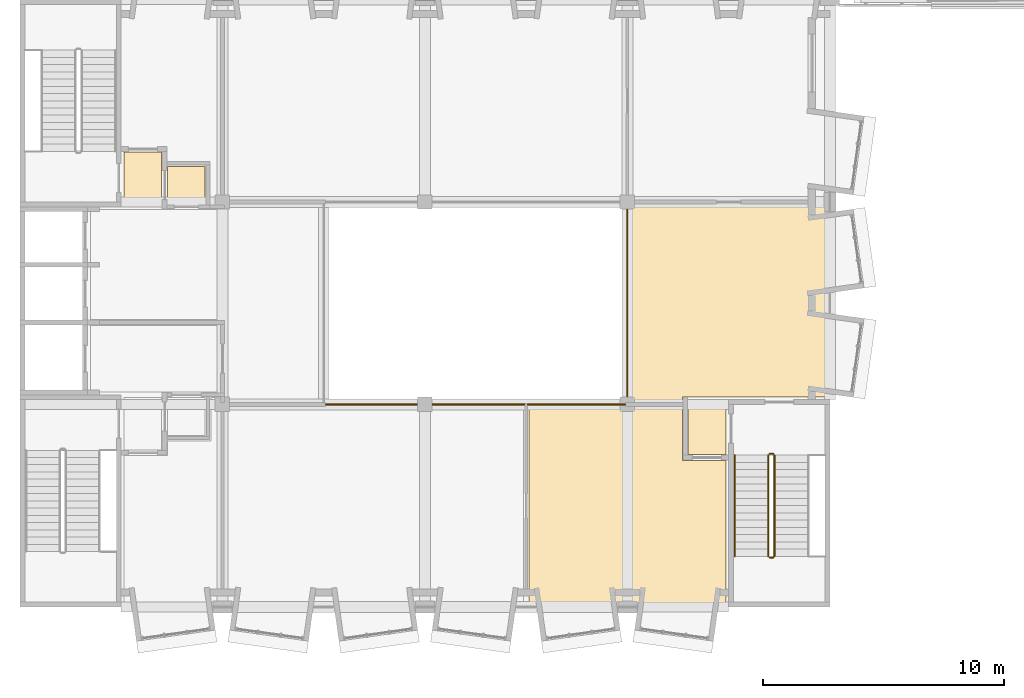
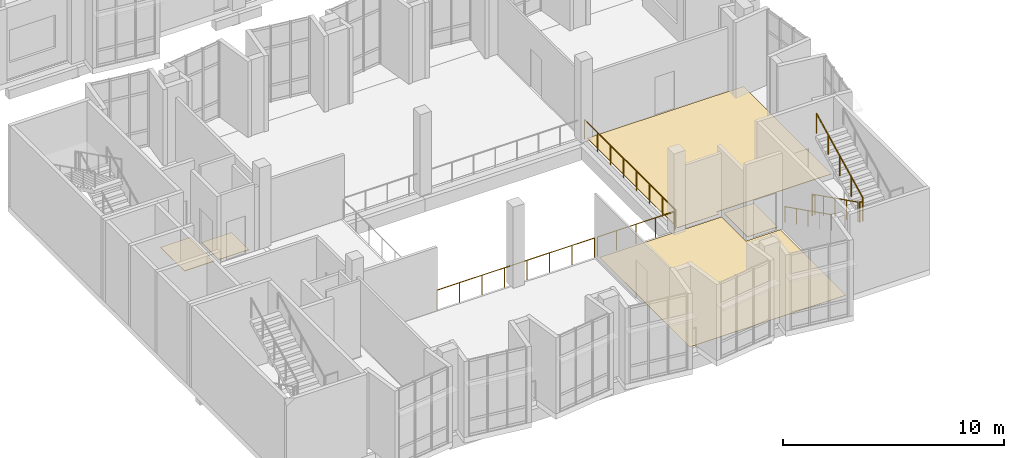
# One storey, part 91 of 95: 8 railings, 5 coverings.
"""IFC4 building model written with IfcOpenShell, lengths in metres."""

from ifc_helpers import new_model, si_unit, direction, frame, origin, origin_2d, place, context, subcontext, project, spatial, polyline, circle, outline, extrude, material, layer, layer_set, type_object, element, save


model = new_model("IFC4")

# Units and contexts
model_context = context("Model", 3, precision=1e-05, world=origin(), true_north=direction((0.0, 1.0)))
body_context = subcontext(model_context, "Body", "Model", "MODEL_VIEW")
ifc_project = project(units=[si_unit("LENGTHUNIT", "METRE"), si_unit("AREAUNIT", "SQUARE_METRE"), si_unit("VOLUMEUNIT", "CUBIC_METRE"), si_unit("PLANEANGLEUNIT", "RADIAN"), si_unit("MASSUNIT", "GRAM", prefix="KILO")], contexts=[model_context])

# Site, building, storey
site_placement = place(None, origin())
site = spatial("IfcSite", under=ifc_project, at=site_placement, CompositionType="ELEMENT")
building_placement = place(site_placement, origin())
building = spatial("IfcBuilding", under=site, at=building_placement, Name="Kiln Court Media Centre", CompositionType="ELEMENT")
storey_placement = place(building_placement, frame((0.0, 0.0, 24.60009765625)))
storey = spatial("IfcBuildingStorey", under=building, at=storey_placement, Name="L05", CompositionType="ELEMENT", Elevation=24.60009765625)

# Coverings
ifc_material_1 = material(Name="Carpet tile")
ifc_layer_1 = layer(ifc_material_1, 0.014892578125)
ifc_layer_set_1 = layer_set([ifc_layer_1], Name="Carpet tile floor finish 15")
covering_type_1 = type_object("IfcCoveringType", Name="Carpet tile floor finish 15", PredefinedType="FLOORING", material=ifc_layer_set_1)
covering_1_placement = place(storey_placement, origin())
element("IfcCovering", 1, at=covering_1_placement, inside=storey, type_object=covering_type_1, Name="Sound Post Suites floor finish", PredefinedType="FLOORING", context=body_context, shape_type="SweptSolid", body=[
    extrude(outline(polyline([(29.280029296875, 0.1201171875), (29.280029296875, 6.080078125), (27.47998046875, 6.080078125), (27.47998046875, 8.280029296875), (21.1201171875, 8.280029296875), (21.1201171875, 0.1201171875), (29.280029296875, 0.1201171875)])), origin(), (0.0, 0.0, 1.0), 0.014892578125),
])
ifc_material_2 = material(Name="Terrazzo")
ifc_layer_2 = layer(ifc_material_2, 0.02490234375)
ifc_layer_set_2 = layer_set([ifc_layer_2], Name="Polished terrazzo floor finish 25")
covering_type_2 = type_object("IfcCoveringType", Name="Polished terrazzo floor finish 25", PredefinedType="FLOORING", material=ifc_layer_set_2)
covering_2_placement = place(storey_placement, origin())
element("IfcCovering", 2, at=covering_2_placement, inside=storey, type_object=covering_type_2, Name="Stair 3 Vestibule floor finish", PredefinedType="FLOORING", context=body_context, shape_type="SweptSolid", body=[
    extrude(outline(polyline([(27.719970703125, 6.320068359375), (29.280029296875, 6.320068359375), (29.280029296875, 8.47998046875), (27.719970703125, 8.47998046875), (27.719970703125, 6.320068359375)])), origin(), (0.0, 0.0, 1.0), 0.02490234375),
])
covering_3_placement = place(storey_placement, origin())
element("IfcCovering", 3, at=covering_3_placement, inside=storey, type_object=covering_type_2, Name="East Lobby floor finish", PredefinedType="FLOORING", context=body_context, shape_type="SweptSolid", body=[
    extrude(outline(polyline([(25.320068359375, 8.52001953125), (27.47998046875, 8.52001953125), (27.47998046875, 8.719970703125), (33.47998046875, 8.719970703125), (33.47998046875, 16.679931640625), (25.320068359375, 16.679931640625), (25.320068359375, 8.52001953125)])), origin(), (0.0, 0.0, 1.0), 0.02490234375),
])
covering_4_placement = place(storey_placement, origin())
element("IfcCovering", 4, at=covering_4_placement, inside=storey, type_object=covering_type_2, Name="Stair 2 Vestibule floor finish", PredefinedType="FLOORING", context=body_context, shape_type="SweptSolid", body=[
    extrude(outline(polyline([(4.320068359375, 16.719970703125), (5.8798828125, 16.719970703125), (5.8798828125, 18.8798828125), (4.320068359375, 18.8798828125), (4.320068359375, 16.719970703125)])), origin(), (0.0, 0.0, 1.0), 0.02490234375),
])
covering_5_placement = place(storey_placement, origin())
element("IfcCovering", 5, at=covering_5_placement, inside=storey, type_object=covering_type_2, Name="Wheelchair Refuge floor finish", PredefinedType="FLOORING", context=body_context, shape_type="SweptSolid", body=[
    extrude(outline(polyline([(6.1201171875, 16.719970703125), (7.679931640625, 16.719970703125), (7.679931640625, 18.280029296875), (6.1201171875, 18.280029296875), (6.1201171875, 16.719970703125)])), origin(), (0.0, 0.0, 1.0), 0.02490234375),
])

# Railings
ifc_material_3 = material(Name="Steel S275", Category="steel")
railing_type_1 = type_object("IfcRailingType", Name="Steel S275 balustrade guard 1100", PredefinedType="GUARDRAIL", material=ifc_material_3)
railing_1_placement = place(storey_placement, frame((12.695068359375, 8.39990234375, 0.0)))
element("IfcRailing", 6, at=railing_1_placement, inside=storey, type_object=railing_type_1, Name="L05 void edge guard", PredefinedType="GUARDRAIL", context=body_context, shape_type="SweptSolid", body=[
    extrude(circle(Radius=0.02392578125, at=origin_2d()), frame((0.0, 0.0, 1.076171875), z_axis=(1.0, 0.0, 0.0), x_axis=(0.0, 1.0, 0.0)), (0.0, 0.0, 1.0), 8.23486328125),
    extrude(circle(Radius=0.02099609375, at=origin_2d()), origin(), (0.0, 0.0, 1.0), 1.052001953125),
    extrude(circle(Radius=0.02099609375, at=origin_2d()), frame((1.176513671875, 0.0, 0.0)), (0.0, 0.0, 1.0), 1.052001953125),
    extrude(circle(Radius=0.02099609375, at=origin_2d()), frame((2.352783203125, 0.0, 0.0)), (0.0, 0.0, 1.0), 1.052001953125),
    extrude(circle(Radius=0.02099609375, at=origin_2d()), frame((3.529296875, 0.0, 0.0)), (0.0, 0.0, 1.0), 1.052001953125),
    extrude(circle(Radius=0.02099609375, at=origin_2d()), frame((4.70556640625, 0.0, 0.0)), (0.0, 0.0, 1.0), 1.052001953125),
    extrude(circle(Radius=0.02099609375, at=origin_2d()), frame((5.882080078125, 0.0, 0.0)), (0.0, 0.0, 1.0), 1.052001953125),
    extrude(circle(Radius=0.02099609375, at=origin_2d()), frame((7.058349609375, 0.0, 0.0)), (0.0, 0.0, 1.0), 1.052001953125),
    extrude(circle(Radius=0.02099609375, at=origin_2d()), frame((8.23486328125, 0.0, 0.0)), (0.0, 0.0, 1.0), 1.052001953125),
])
railing_2_placement = place(storey_placement, frame((21.070068359375, 8.39990234375, 0.0)))
element("IfcRailing", 7, at=railing_2_placement, inside=storey, type_object=railing_type_1, Name="L05 void edge guard", PredefinedType="GUARDRAIL", context=body_context, shape_type="SweptSolid", body=[
    extrude(circle(Radius=0.02392578125, at=origin_2d()), frame((0.0, 0.0, 1.076171875), z_axis=(1.0, 0.0, 0.0), x_axis=(0.0, 1.0, 0.0)), (0.0, 0.0, 1.0), 4.034912109375),
    extrude(circle(Radius=0.02099609375, at=origin_2d()), origin(), (0.0, 0.0, 1.0), 1.052001953125),
    extrude(circle(Radius=0.02099609375, at=origin_2d()), frame((1.0087890625, 0.0, 0.0)), (0.0, 0.0, 1.0), 1.052001953125),
    extrude(circle(Radius=0.02099609375, at=origin_2d()), frame((2.017578125, 0.0, 0.0)), (0.0, 0.0, 1.0), 1.052001953125),
    extrude(circle(Radius=0.02099609375, at=origin_2d()), frame((3.026123046875, 0.0, 0.0)), (0.0, 0.0, 1.0), 1.052001953125),
    extrude(circle(Radius=0.02099609375, at=origin_2d()), frame((4.034912109375, 0.0, 0.0)), (0.0, 0.0, 1.0), 1.052001953125),
])
railing_3_placement = place(storey_placement, frame((25.199951171875, 8.4951171875, 0.0)))
element("IfcRailing", 8, at=railing_3_placement, inside=storey, type_object=railing_type_1, Name="L05 void edge guard", PredefinedType="GUARDRAIL", context=body_context, shape_type="SweptSolid", body=[
    extrude(circle(Radius=0.02392578125, at=origin_2d()), frame((0.0, 0.0, 1.076171875), z_axis=(0.0, 1.0, 0.0), x_axis=(-1.0, 0.0, 0.0)), (0.0, 0.0, 1.0), 8.2099609375),
    extrude(circle(Radius=0.02099609375, at=origin_2d()), origin(), (0.0, 0.0, 1.0), 1.052001953125),
    extrude(circle(Radius=0.02099609375, at=origin_2d()), frame((0.0, 1.1728515625, 0.0)), (0.0, 0.0, 1.0), 1.052001953125),
    extrude(circle(Radius=0.02099609375, at=origin_2d()), frame((0.0, 2.345703125, 0.0)), (0.0, 0.0, 1.0), 1.052001953125),
    extrude(circle(Radius=0.02099609375, at=origin_2d()), frame((0.0, 3.5185546875, 0.0)), (0.0, 0.0, 1.0), 1.052001953125),
    extrude(circle(Radius=0.02099609375, at=origin_2d()), frame((0.0, 4.69140625, 0.0)), (0.0, 0.0, 1.0), 1.052001953125),
    extrude(circle(Radius=0.02099609375, at=origin_2d()), frame((0.0, 5.8642578125, 0.0)), (0.0, 0.0, 1.0), 1.052001953125),
    extrude(circle(Radius=0.02099609375, at=origin_2d()), frame((0.0, 7.037109375, 0.0)), (0.0, 0.0, 1.0), 1.052001953125),
    extrude(circle(Radius=0.02099609375, at=origin_2d()), frame((0.0, 8.2099609375, 0.0)), (0.0, 0.0, 1.0), 1.052001953125),
])
ifc_material_4 = material(Name="Steel S275", Category="steel")
railing_type_2 = type_object("IfcRailingType", Name="Steel S275 stair guard 1100", PredefinedType="GUARDRAIL", material=ifc_material_4)
railing_4_placement = place(storey_placement, frame((31.050048828125, 6.300048828125, 0.14990234375)))
element("IfcRailing", 9, at=railing_4_placement, inside=storey, type_object=railing_type_2, Name="ST-03 stair guard", PredefinedType="GUARDRAIL", context=body_context, shape_type="SweptSolid", body=[
    extrude(circle(Radius=0.02392578125, at=origin_2d()), frame((0.0, 0.0, 1.076171875), z_axis=(0.0, -0.894416792377, 0.447234392142), x_axis=(1.0, 0.0, 0.0)), (0.0, 0.0, 1.0), 4.69580078125),
    extrude(circle(Radius=0.02099609375, at=origin_2d()), origin(), (0.0, 0.0, 1.0), 1.052001953125),
    extrude(circle(Radius=0.02099609375, at=origin_2d()), frame((0.0, -1.050048828125, 0.52490234375)), (0.0, 0.0, 1.0), 1.052001953125),
    extrude(circle(Radius=0.02099609375, at=origin_2d()), frame((0.0, -2.10009765625, 1.050048828125)), (0.0, 0.0, 1.0), 1.052001953125),
    extrude(circle(Radius=0.02099609375, at=origin_2d()), frame((0.0, -3.14990234375, 1.5751953125)), (0.0, 0.0, 1.0), 1.052001953125),
    extrude(circle(Radius=0.02099609375, at=origin_2d()), frame((0.0, -4.199951171875, 2.10009765625)), (0.0, 0.0, 1.0), 1.052001953125),
])
railing_5_placement = place(storey_placement, frame((31.10009765625, 2.050048828125, 2.25)))
element("IfcRailing", 10, at=railing_5_placement, inside=storey, type_object=railing_type_2, Name="ST-03 stair guard", PredefinedType="GUARDRAIL", context=body_context, shape_type="SweptSolid", body=[
    extrude(circle(Radius=0.02392578125, at=origin_2d()), frame((0.0, 0.0, 1.076171875), z_axis=(1.0, 0.0, 0.0), x_axis=(0.0, 1.0, 0.0)), (0.0, 0.0, 1.0), 0.14990234375),
    extrude(circle(Radius=0.02099609375, at=origin_2d()), origin(), (0.0, 0.0, 1.0), 1.052001953125),
    extrude(circle(Radius=0.02099609375, at=origin_2d()), frame((0.14990234375, 0.0, 0.0)), (0.0, 0.0, 1.0), 1.052001953125),
])
railing_6_placement = place(storey_placement, frame((31.300048828125, 2.10009765625, 2.39990234375)))
element("IfcRailing", 11, at=railing_6_placement, inside=storey, type_object=railing_type_2, Name="ST-03 stair guard", PredefinedType="GUARDRAIL", context=body_context, shape_type="SweptSolid", body=[
    extrude(circle(Radius=0.02392578125, at=origin_2d()), frame((0.0, 0.0, 1.076171875), z_axis=(0.0, 0.894416792377, 0.447234392142), x_axis=(-1.0, 0.0, 0.0)), (0.0, 0.0, 1.0), 4.69580078125),
    extrude(circle(Radius=0.02099609375, at=origin_2d()), origin(), (0.0, 0.0, 1.0), 1.052001953125),
    extrude(circle(Radius=0.02099609375, at=origin_2d()), frame((0.0, 1.050048828125, 0.52490234375)), (0.0, 0.0, 1.0), 1.052001953125),
    extrude(circle(Radius=0.02099609375, at=origin_2d()), frame((0.0, 2.10009765625, 1.050048828125)), (0.0, 0.0, 1.0), 1.052001953125),
    extrude(circle(Radius=0.02099609375, at=origin_2d()), frame((0.0, 3.14990234375, 1.5751953125)), (0.0, 0.0, 1.0), 1.052001953125),
    extrude(circle(Radius=0.02099609375, at=origin_2d()), frame((0.0, 4.199951171875, 2.10009765625)), (0.0, 0.0, 1.0), 1.052001953125),
])
railing_7_placement = place(storey_placement, frame((31.10009765625, 6.35009765625, 0.0)))
element("IfcRailing", 12, at=railing_7_placement, inside=storey, type_object=railing_type_2, Name="ST-03 stair guard", PredefinedType="GUARDRAIL", context=body_context, shape_type="SweptSolid", body=[
    extrude(circle(Radius=0.02392578125, at=origin_2d()), frame((0.0, 0.0, 1.076171875), z_axis=(1.0, 0.0, 0.0), x_axis=(0.0, 1.0, 0.0)), (0.0, 0.0, 1.0), 0.14990234375),
    extrude(circle(Radius=0.02099609375, at=origin_2d()), origin(), (0.0, 0.0, 1.0), 1.052001953125),
    extrude(circle(Radius=0.02099609375, at=origin_2d()), frame((0.14990234375, 0.0, 0.0)), (0.0, 0.0, 1.0), 1.052001953125),
])
ifc_material_5 = material(Name="Steel S275", Category="steel")
railing_type_3 = type_object("IfcRailingType", Name="Steel S275 stair handrail 900", PredefinedType="HANDRAIL", material=ifc_material_5)
railing_8_placement = place(storey_placement, frame((29.64990234375, 6.300048828125, 0.14990234375)))
element("IfcRailing", 13, at=railing_8_placement, inside=storey, type_object=railing_type_3, Name="ST-03 stair handrail", PredefinedType="HANDRAIL", context=body_context, shape_type="SweptSolid", body=[
    extrude(circle(Radius=0.02392578125, at=origin_2d()), frame((0.0, 0.0, 0.8759765625), z_axis=(0.0, -0.894416792377, 0.447234392142), x_axis=(1.0, 0.0, 0.0)), (0.0, 0.0, 1.0), 4.69580078125),
    extrude(circle(Radius=0.02099609375, at=origin_2d()), origin(), (0.0, 0.0, 1.0), 0.851806640625),
    extrude(circle(Radius=0.02099609375, at=origin_2d()), frame((0.0, -1.050048828125, 0.52490234375)), (0.0, 0.0, 1.0), 0.851806640625),
    extrude(circle(Radius=0.02099609375, at=origin_2d()), frame((0.0, -2.10009765625, 1.050048828125)), (0.0, 0.0, 1.0), 0.851806640625),
    extrude(circle(Radius=0.02099609375, at=origin_2d()), frame((0.0, -3.14990234375, 1.5751953125)), (0.0, 0.0, 1.0), 0.851806640625),
    extrude(circle(Radius=0.02099609375, at=origin_2d()), frame((0.0, -4.199951171875, 2.10009765625)), (0.0, 0.0, 1.0), 0.851806640625),
])

save(model, "model.ifc")
